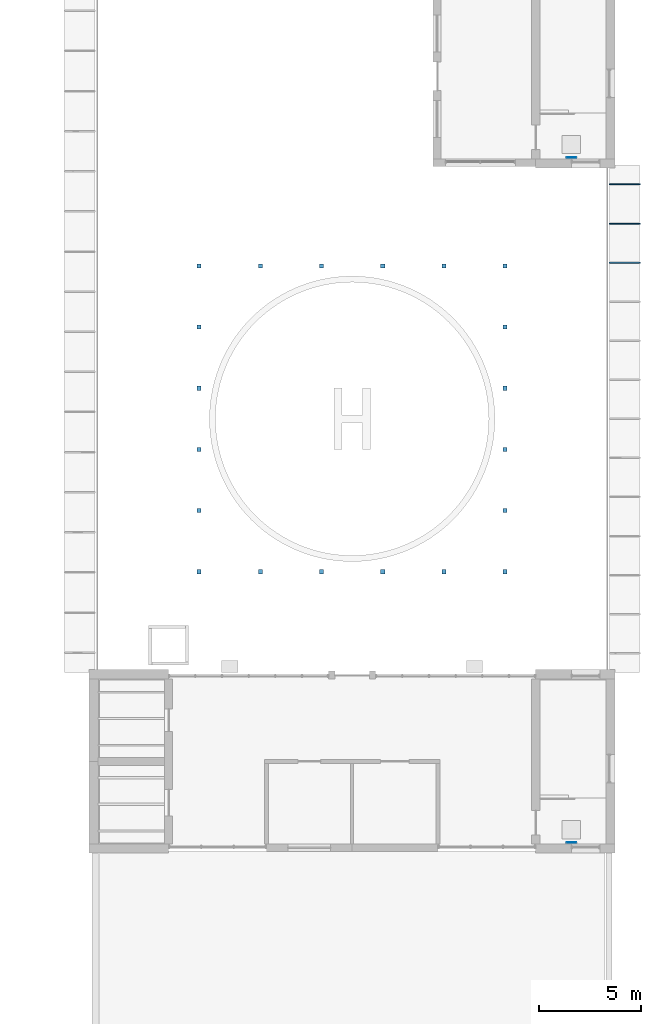
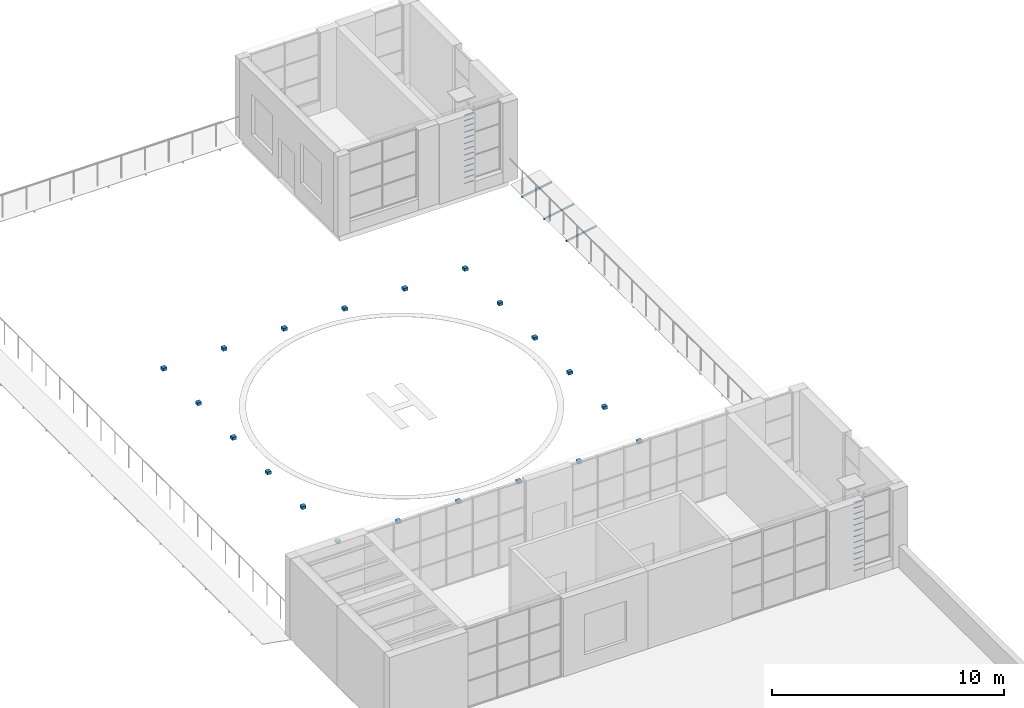
# One storey, part 56 of 66: 49 discrete accessories.
"""IFC4 building model written with IfcOpenShell, lengths in metres."""

import ifcopenshell
import ifcopenshell.guid

model = None  # the IFC model being written
_history = None  # IfcOwnerHistory: only IFC2X3 demands one
_inside = {}  # id of a spatial element -> (the spatial element, [elements in it])
_under = {}  # id of a project, library or spatial element -> (it, [spatial elements below it])
_declared = {}  # id of a project -> (the project, [libraries it declares])
_typed = {}  # id of a type object -> (the type object, [elements of that type])
_made_of = {}  # id of a material, layer set ... -> (it, [elements and type objects made of it])


def new_model(schema):
    """Start an empty IFC model of exactly this schema.

    Asked for "IFC4X3", IfcOpenShell would pick the latest addendum, in which some entities
    have other attributes; the version numbers below select the first issue.
    IFC2X3 requires an IfcOwnerHistory on every rooted entity: one is made here for all.
    """
    global model, _history
    if schema == "IFC4X3":
        model = ifcopenshell.file(schema_version=(4, 3, 0, 0))
    else:
        model = ifcopenshell.file(schema=schema)
    _inside.clear()
    _under.clear()
    _declared.clear()
    _typed.clear()
    _made_of.clear()
    _history = None
    if model.schema == "IFC2X3":
        org = make("IfcOrganization", Name="unknown")
        user = make(
            "IfcPersonAndOrganization",
            ThePerson=make("IfcPerson", FamilyName="unknown"),
            TheOrganization=org,
        )
        app = make(
            "IfcApplication",
            ApplicationDeveloper=org,
            Version="unknown",
            ApplicationFullName="unknown",
            ApplicationIdentifier="unknown",
        )
        _history = make(
            "IfcOwnerHistory",
            OwningUser=user,
            OwningApplication=app,
            ChangeAction="ADDED",
            CreationDate=0,
        )
    return model


def make(cls, **values):
    """One entity of the class cls with the attributes given. An attribute that is None is left unset."""
    return model.create_entity(
        cls, **{name: value for name, value in values.items() if value is not None}
    )


def rooted(cls, **values):
    """An entity with a GlobalId (a new one), such as an element, a storey or a relation."""
    return make(cls, GlobalId=ifcopenshell.guid.new(), OwnerHistory=_history, **values)


def si_unit(unit_type, name, prefix=None):
    """IfcSIUnit, for example si_unit("LENGTHUNIT", "METRE", prefix="MILLI")."""
    return make("IfcSIUnit", UnitType=unit_type, Prefix=prefix, Name=name)


def assignment(units):
    """IfcUnitAssignment: the units of a project."""
    return None if units is None else make("IfcUnitAssignment", Units=units)


def point(xyz):
    """IfcCartesianPoint."""
    return None if xyz is None else make("IfcCartesianPoint", Coordinates=xyz)


def direction(xyz):
    """IfcDirection."""
    return None if xyz is None else make("IfcDirection", DirectionRatios=xyz)


def frame(location, z_axis=None, x_axis=None):
    """IfcAxis2Placement3D, a coordinate frame: its origin and axes. An axis left out is left unset."""
    return make(
        "IfcAxis2Placement3D",
        Location=point(location),
        Axis=direction(z_axis),
        RefDirection=direction(x_axis),
    )


def frame_2d(location, x_axis=None):
    """IfcAxis2Placement2D, a coordinate frame in the plane: its origin and x axis."""
    return make(
        "IfcAxis2Placement2D", Location=point(location), RefDirection=direction(x_axis)
    )


def origin():
    """The frame at (0, 0, 0) with its axes left unset."""
    return frame((0.0, 0.0, 0.0))


def origin_2d():
    """The frame at (0, 0) in the plane with its x axis left unset."""
    return frame_2d((0.0, 0.0))


def place(relative_to, where):
    """IfcLocalPlacement: puts the frame where relative to a parent placement (None: the world)."""
    return make(
        "IfcLocalPlacement", PlacementRelTo=relative_to, RelativePlacement=where
    )


def context(
    kind, dimensions, precision=None, world=None, true_north=None, identifier=None
):
    """IfcGeometricRepresentationContext, for example the 3D "Model" context."""
    return make(
        "IfcGeometricRepresentationContext",
        ContextIdentifier=identifier,
        ContextType=kind,
        CoordinateSpaceDimension=dimensions,
        Precision=precision,
        WorldCoordinateSystem=world,
        TrueNorth=true_north,
    )


def subcontext(parent, identifier, kind, view, scale=None):
    """IfcGeometricRepresentationSubContext, for example "Body" below "Model"."""
    return make(
        "IfcGeometricRepresentationSubContext",
        ContextIdentifier=identifier,
        ContextType=kind,
        ParentContext=parent,
        TargetScale=scale,
        TargetView=view,
    )


def project(units=None, contexts=None):
    """IfcProject with its units and contexts."""
    return rooted(
        "IfcProject",
        Name="project",
        RepresentationContexts=contexts,
        UnitsInContext=assignment(units),
    )


def spatial(cls, under=None, at=None, **own):
    """A site, building, storey or space (cls), placed at a placement, below another one or the project."""
    s = rooted(cls, ObjectPlacement=at, **own)
    if under is not None:
        _under.setdefault(under.id(), (under, []))[1].append(s)
    return s


def profile(cls, at=None, kind="AREA", **sizes):
    """A parametric profile (cls). Its sizes go by their IFC names, for example OverallWidth=200.0."""
    return make(cls, ProfileType=kind, Position=at, **sizes)


def rectangle(**sizes):
    """IfcRectangleProfileDef."""
    return profile("IfcRectangleProfileDef", **sizes)


def hollow_rectangle(**sizes):
    """IfcRectangleHollowProfileDef."""
    return profile("IfcRectangleHollowProfileDef", **sizes)


def hollow_circle(**sizes):
    """IfcCircleHollowProfileDef."""
    return profile("IfcCircleHollowProfileDef", **sizes)


def extrude(swept, where, along, depth):
    """IfcExtrudedAreaSolid: the profile swept, set in the frame where, extruded along a direction by depth."""
    return make(
        "IfcExtrudedAreaSolid",
        SweptArea=swept,
        Position=where,
        ExtrudedDirection=direction(along),
        Depth=depth,
    )


def shape(context_of_items, identifier, shape_type, items):
    """IfcShapeRepresentation: the items that make up one representation, for example the "Body"."""
    return make(
        "IfcShapeRepresentation",
        ContextOfItems=context_of_items,
        RepresentationIdentifier=identifier,
        RepresentationType=shape_type,
        Items=items,
    )


def material(Name=None, Category=None):
    """IfcMaterial."""
    return make("IfcMaterial", Name=Name, Category=Category)


def material_profile(
    of_material, cross_section, Name=None, Category=None, Priority=None
):
    """IfcMaterialProfile: a cross section and its material."""
    return make(
        "IfcMaterialProfile",
        Name=Name,
        Material=of_material,
        Profile=cross_section,
        Priority=Priority,
        Category=Category,
    )


def profile_set(profiles, Name=None, composite=None):
    """IfcMaterialProfileSet."""
    return make(
        "IfcMaterialProfileSet",
        Name=Name,
        MaterialProfiles=profiles,
        CompositeProfile=composite,
    )


def made_of(thing, what):
    """Note that an element or type object is made of a material, layer set ...; save() writes the relation."""
    if what is not None:
        _made_of.setdefault(what.id(), (what, []))[1].append(thing)
    return thing


def type_object(cls, material=None, **own):
    """A type object (cls), such as IfcWallType, which elements share."""
    return made_of(rooted(cls, **own), material)


def element(
    cls,
    number,
    at=None,
    inside=None,
    cuts=None,
    type_object=None,
    material=None,
    context=None,
    identifier="Body",
    shape_type=None,
    held_by="IfcProductDefinitionShape",
    body=None,
    shapes=None,
    **own,
):
    """One element of the class cls, such as IfcWall. Its Tag is "e" and its number.

    at: its placement. inside: the storey or other place that contains it. cuts: it is an
    opening in that element (IfcRelVoidsElement). A single representation is given by context,
    identifier, shape_type and body (its items); several are given by shapes. held_by: the class
    of the entity that holds the representations. save() writes the other relations.
    """
    e = rooted(cls, Tag="e%d" % number, ObjectPlacement=at, **own)
    if body is not None:
        shapes = [shape(context, identifier, shape_type, body)]
    if shapes is not None:
        e.Representation = make(held_by, Representations=shapes)
    if inside is not None:
        _inside.setdefault(inside.id(), (inside, []))[1].append(e)
    if cuts is not None:
        rooted(
            "IfcRelVoidsElement", RelatingBuildingElement=cuts, RelatedOpeningElement=e
        )
    if type_object is not None:
        _typed.setdefault(type_object.id(), (type_object, []))[1].append(e)
    return made_of(e, material)


def aggregate(whole, parts):
    """IfcRelAggregates: a whole, such as a stair, and the parts it consists of."""
    return rooted("IfcRelAggregates", RelatingObject=whole, RelatedObjects=parts)


def save(model, path):
    """Write the relations noted so far, then the file.

    IfcRelAggregates (storeys below a building ...), IfcRelContainedInSpatialStructure (elements
    in a storey), IfcRelDefinesByType, IfcRelAssociatesMaterial and IfcRelDeclares: one each for
    every whole, place, type object, material and project.
    """
    for whole, parts in _under.values():
        aggregate(whole, parts)
    for where, things in _inside.values():
        rooted(
            "IfcRelContainedInSpatialStructure",
            RelatedElements=things,
            RelatingStructure=where,
        )
    for kind, things in _typed.values():
        rooted("IfcRelDefinesByType", RelatedObjects=things, RelatingType=kind)
    for what, things in _made_of.values():
        rooted("IfcRelAssociatesMaterial", RelatedObjects=things, RelatingMaterial=what)
    for by, libraries in _declared.values():
        rooted("IfcRelDeclares", RelatingContext=by, RelatedDefinitions=libraries)
    model.write(path)


model = new_model("IFC4")

# Units and contexts
model_context = context("Model", 3, precision=1e-05, world=origin(), true_north=direction((0.0, 1.0)))
body_context = subcontext(model_context, "Body", "Model", "MODEL_VIEW")
ifc_project = project(units=[si_unit("LENGTHUNIT", "METRE"), si_unit("AREAUNIT", "SQUARE_METRE"), si_unit("VOLUMEUNIT", "CUBIC_METRE"), si_unit("PLANEANGLEUNIT", "RADIAN"), si_unit("MASSUNIT", "GRAM", prefix="KILO")], contexts=[model_context])

# Site, building, storey
site_placement = place(None, origin())
site = spatial("IfcSite", under=ifc_project, at=site_placement, CompositionType="ELEMENT")
building_placement = place(site_placement, origin())
building = spatial("IfcBuilding", under=site, at=building_placement, Name="Yavir Park General Hospital", CompositionType="ELEMENT")
storey_placement = place(building_placement, frame((0.0, 0.0, 8.39990234375)))
storey = spatial("IfcBuildingStorey", under=building, at=storey_placement, Name="L02", CompositionType="ELEMENT", Elevation=8.39990234375)

# Discrete accessories
ifc_material_1 = material(Name="Flush LED light fitting")
discrete_accessory_type_1 = type_object("IfcDiscreteAccessoryType", Name="Helipad perimeter light 200", PredefinedType="NOTDEFINED", material=ifc_material_1)
for number, where, z_axis, x_axis, name in (
    (1, (147.89990234375, 89.10009765625, 0.0), (0.0, 0.0, 1.0), (1.0, 0.0, 0.0), "Helipad perimeter light 1"),
    (2, (162.89990234375, 89.10009765625, 0.0), (0.0, 0.0, 1.0), (1.0, 0.0, 0.0), "Helipad perimeter light 2"),
    (3, (162.89990234375, 104.10009765625, 0.0), (0.0, 0.0, 1.0), (1.0, 0.0, 0.0), "Helipad perimeter light 3"),
    (4, (147.89990234375, 104.10009765625, 0.0), (0.0, 0.0, 1.0), (1.0, 0.0, 0.0), "Helipad perimeter light 4"),
    (5, (150.89990234375, 89.10009765625, 0.0), (0.0, 0.0, 1.0), (1.0, 0.0, 0.0), "Helipad perimeter light 5"),
    (6, (162.89990234375, 92.10009765625, 0.0), (0.0, 0.0, 1.0), (1.0, 0.0, 0.0), "Helipad perimeter light 6"),
    (7, (159.89990234375, 104.10009765625, 0.0), (0.0, 0.0, 1.0), (1.0, 0.0, 0.0), "Helipad perimeter light 7"),
    (8, (147.89990234375, 101.10009765625, 0.0), (0.0, 0.0, 1.0), (1.0, 0.0, 0.0), "Helipad perimeter light 8"),
    (9, (153.89990234375, 89.10009765625, 0.0), (0.0, 0.0, 1.0), (1.0, 0.0, 0.0), "Helipad perimeter light 9"),
    (10, (162.89990234375, 95.10009765625, 0.0), (0.0, 0.0, 1.0), (1.0, 0.0, 0.0), "Helipad perimeter light 10"),
    (11, (156.89990234375, 104.10009765625, 0.0), (0.0, 0.0, 1.0), (1.0, 0.0, 0.0), "Helipad perimeter light 11"),
    (12, (147.89990234375, 98.10009765625, 0.0), (0.0, 0.0, 1.0), (1.0, 0.0, 0.0), "Helipad perimeter light 12"),
    (13, (156.89990234375, 89.10009765625, 0.0), (0.0, 0.0, 1.0), (1.0, 0.0, 0.0), "Helipad perimeter light 13"),
    (14, (162.89990234375, 98.10009765625, 0.0), (0.0, 0.0, 1.0), (1.0, 0.0, 0.0), "Helipad perimeter light 14"),
    (15, (153.89990234375, 104.10009765625, 0.0), (0.0, 0.0, 1.0), (1.0, 0.0, 0.0), "Helipad perimeter light 15"),
    (16, (147.89990234375, 95.10009765625, 0.0), (0.0, 0.0, 1.0), (1.0, 0.0, 0.0), "Helipad perimeter light 16"),
    (17, (159.89990234375, 89.10009765625, 0.0), (0.0, 0.0, 1.0), (1.0, 0.0, 0.0), "Helipad perimeter light 17"),
    (18, (162.89990234375, 101.10009765625, 0.0), (0.0, 0.0, 1.0), (1.0, 0.0, 0.0), "Helipad perimeter light 18"),
    (19, (150.89990234375, 104.10009765625, 0.0), (0.0, 0.0, 1.0), (1.0, 0.0, 0.0), "Helipad perimeter light 19"),
    (20, (147.89990234375, 92.10009765625, 0.0), (0.0, 0.0, 1.0), (1.0, 0.0, 0.0), "Helipad perimeter light 20"),
):
    element("IfcDiscreteAccessory", number, at=place(storey_placement, frame(where, z_axis=z_axis, x_axis=x_axis)), inside=storey, type_object=discrete_accessory_type_1, Name=name, PredefinedType="NOTDEFINED", context=body_context, shape_type="SweptSolid", body=[
        extrude(rectangle(XDim=0.199951171875, YDim=0.199951171875, at=origin_2d()), origin(), (0.0, 0.0, 1.0), 0.14990234375),
    ])
ifc_material_2 = material(Name="Steel S355", Category="steel")
ifc_material_profile_1 = material_profile(ifc_material_2, hollow_circle(Radius=0.012451171875, WallThickness=0.0029296875, at=origin_2d()), Name="CHS25x3")
ifc_profile_set_1 = profile_set([ifc_material_profile_1], Name="Steel S355")
discrete_accessory_type_2 = type_object("IfcDiscreteAccessoryType", Name="Ladder rung CHS 25", PredefinedType="BRACKET", material=ifc_profile_set_1)
for number, where, z_axis, x_axis, name in (
    (21, (165.919921875, 75.820068359375, 0.25), (1.0, 0.0, 0.0), (0.0, 1.0, 0.0), "Ladder rung ES2 1"),
    (22, (165.919921875, 75.820068359375, 0.550048828125), (1.0, 0.0, 0.0), (0.0, 1.0, 0.0), "Ladder rung ES2 2"),
    (23, (165.919921875, 75.820068359375, 0.85009765625), (1.0, 0.0, 0.0), (0.0, 1.0, 0.0), "Ladder rung ES2 3"),
    (24, (165.919921875, 75.820068359375, 1.150146484375), (1.0, 0.0, 0.0), (0.0, 1.0, 0.0), "Ladder rung ES2 4"),
    (25, (165.919921875, 75.820068359375, 1.4501953125), (1.0, 0.0, 0.0), (0.0, 1.0, 0.0), "Ladder rung ES2 5"),
    (26, (165.919921875, 75.820068359375, 1.75), (1.0, 0.0, 0.0), (0.0, 1.0, 0.0), "Ladder rung ES2 6"),
    (27, (165.919921875, 75.820068359375, 2.050048828125), (1.0, 0.0, 0.0), (0.0, 1.0, 0.0), "Ladder rung ES2 7"),
    (28, (165.919921875, 75.820068359375, 2.35009765625), (1.0, 0.0, 0.0), (0.0, 1.0, 0.0), "Ladder rung ES2 8"),
    (29, (165.919921875, 75.820068359375, 2.650146484375), (1.0, 0.0, 0.0), (0.0, 1.0, 0.0), "Ladder rung ES2 9"),
    (30, (165.919921875, 75.820068359375, 2.9501953125), (1.0, 0.0, 0.0), (0.0, 1.0, 0.0), "Ladder rung ES2 10"),
    (31, (165.919921875, 75.820068359375, 3.25), (1.0, 0.0, 0.0), (0.0, 1.0, 0.0), "Ladder rung ES2 11"),
    (32, (165.919921875, 75.820068359375, 3.550048828125), (1.0, 0.0, 0.0), (0.0, 1.0, 0.0), "Ladder rung ES2 12"),
    (33, (165.919921875, 75.820068359375, 3.85009765625), (1.0, 0.0, 0.0), (0.0, 1.0, 0.0), "Ladder rung ES2 13"),
    (34, (165.919921875, 109.419921875, 0.25), (1.0, 0.0, 0.0), (0.0, 1.0, 0.0), "Ladder rung ES3 1"),
    (35, (165.919921875, 109.419921875, 0.550048828125), (1.0, 0.0, 0.0), (0.0, 1.0, 0.0), "Ladder rung ES3 2"),
    (36, (165.919921875, 109.419921875, 0.85009765625), (1.0, 0.0, 0.0), (0.0, 1.0, 0.0), "Ladder rung ES3 3"),
    (37, (165.919921875, 109.419921875, 1.150146484375), (1.0, 0.0, 0.0), (0.0, 1.0, 0.0), "Ladder rung ES3 4"),
    (38, (165.919921875, 109.419921875, 1.4501953125), (1.0, 0.0, 0.0), (0.0, 1.0, 0.0), "Ladder rung ES3 5"),
    (39, (165.919921875, 109.419921875, 1.75), (1.0, 0.0, 0.0), (0.0, 1.0, 0.0), "Ladder rung ES3 6"),
    (40, (165.919921875, 109.419921875, 2.050048828125), (1.0, 0.0, 0.0), (0.0, 1.0, 0.0), "Ladder rung ES3 7"),
    (41, (165.919921875, 109.419921875, 2.35009765625), (1.0, 0.0, 0.0), (0.0, 1.0, 0.0), "Ladder rung ES3 8"),
    (42, (165.919921875, 109.419921875, 2.650146484375), (1.0, 0.0, 0.0), (0.0, 1.0, 0.0), "Ladder rung ES3 9"),
    (43, (165.919921875, 109.419921875, 2.9501953125), (1.0, 0.0, 0.0), (0.0, 1.0, 0.0), "Ladder rung ES3 10"),
    (44, (165.919921875, 109.419921875, 3.25), (1.0, 0.0, 0.0), (0.0, 1.0, 0.0), "Ladder rung ES3 11"),
    (45, (165.919921875, 109.419921875, 3.550048828125), (1.0, 0.0, 0.0), (0.0, 1.0, 0.0), "Ladder rung ES3 12"),
    (46, (165.919921875, 109.419921875, 3.85009765625), (1.0, 0.0, 0.0), (0.0, 1.0, 0.0), "Ladder rung ES3 13"),
):
    element("IfcDiscreteAccessory", number, at=place(storey_placement, frame(where, z_axis=z_axis, x_axis=x_axis)), inside=storey, type_object=discrete_accessory_type_2, Name=name, PredefinedType="BRACKET", context=body_context, shape_type="SweptSolid", body=[
        extrude(hollow_circle(Radius=0.012451171875, WallThickness=0.0029296875, at=origin_2d()), origin(), (0.0, 0.0, 1.0), 0.4599609375),
    ])
ifc_material_3 = material(Name="Steel S355", Category="steel")
ifc_material_profile_2 = material_profile(ifc_material_3, hollow_rectangle(XDim=0.050048828125, YDim=0.10009765625, WallThickness=0.00390625, InnerFilletRadius=0.00390625, OuterFilletRadius=0.008056640625, at=origin_2d()), Name="RHS100x50x4")
ifc_profile_set_2 = profile_set([ifc_material_profile_2], Name="Steel S355")
discrete_accessory_type_3 = type_object("IfcDiscreteAccessoryType", Name="Net bracket RHS 100 x 50", PredefinedType="BRACKET", material=ifc_profile_set_2)
for number, where, z_axis, x_axis, name in (
    (47, (168.0087890625, 104.261474609375, -0.3798828125), (0.984817426759, 0.0, 0.173593306182), (0.0, 1.0, 0.0), "Net bracket 2.1.11"),
    (48, (168.0087890625, 106.177001953125, -0.3798828125), (0.984817426759, 0.0, 0.173593306182), (0.0, 1.0, 0.0), "Net bracket 2.1.12"),
    (49, (168.0087890625, 108.09228515625, -0.3798828125), (0.984817426759, 0.0, 0.173593306182), (0.0, 1.0, 0.0), "Net bracket 2.1.13"),
):
    element("IfcDiscreteAccessory", number, at=place(storey_placement, frame(where, z_axis=z_axis, x_axis=x_axis)), inside=storey, type_object=discrete_accessory_type_3, Name=name, PredefinedType="BRACKET", context=body_context, shape_type="SweptSolid", body=[
        extrude(hollow_rectangle(XDim=0.050048828125, YDim=0.10009765625, WallThickness=0.00390625, InnerFilletRadius=0.00390625, OuterFilletRadius=0.008056640625, at=origin_2d()), origin(), (0.0, 0.0, 1.0), 1.523193359375),
    ])

save(model, "model.ifc")
